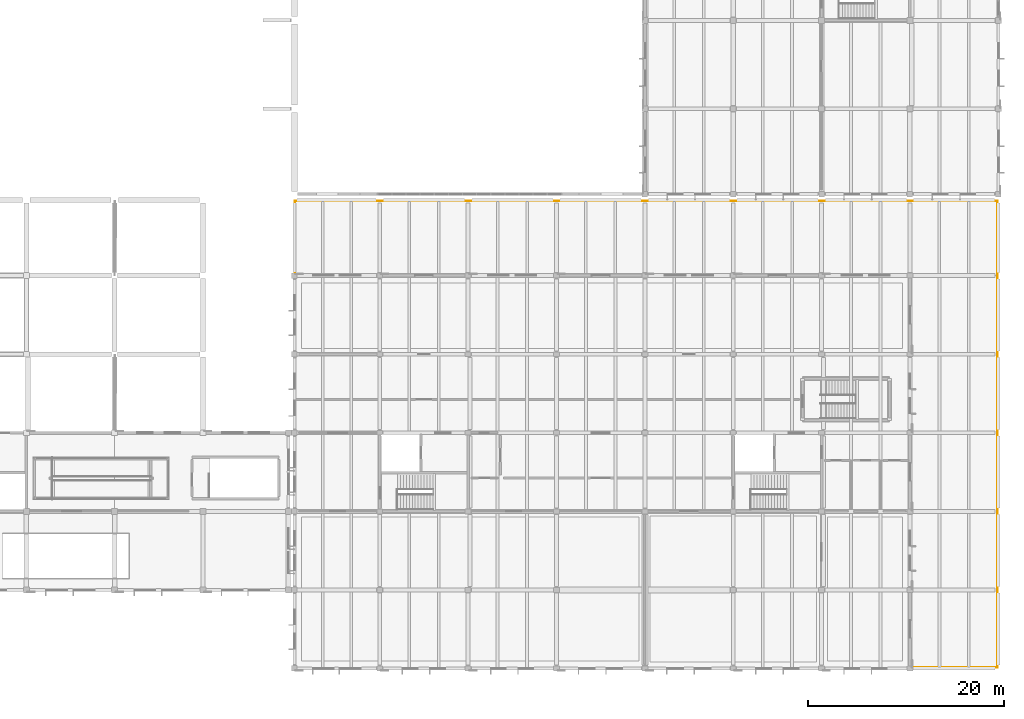
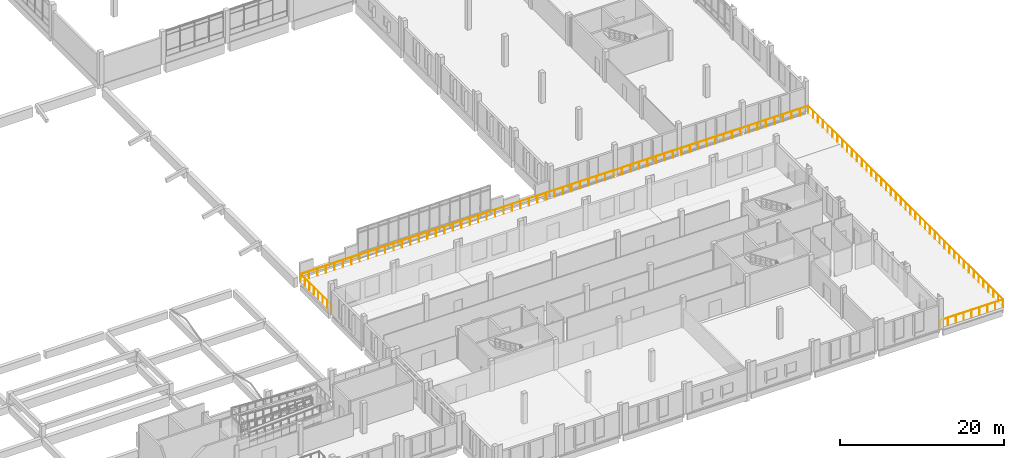
# One storey, part 58 of 63: 1 railing.
"""IFC4 building model written with IfcOpenShell, lengths in metres."""

from ifc_helpers import new_model, si_unit, direction, frame, origin, origin_2d, place, context, subcontext, project, spatial, circle, extrude, material, layer, layer_set, type_object, element, save


model = new_model("IFC4")

# Units and contexts
model_context = context("Model", 3, precision=1e-05, world=origin(), true_north=direction((0.0, 1.0)))
body_context = subcontext(model_context, "Body", "Model", "MODEL_VIEW")
ifc_project = project(units=[si_unit("LENGTHUNIT", "METRE"), si_unit("AREAUNIT", "SQUARE_METRE"), si_unit("VOLUMEUNIT", "CUBIC_METRE"), si_unit("PLANEANGLEUNIT", "RADIAN"), si_unit("MASSUNIT", "GRAM", prefix="KILO")], contexts=[model_context])

# Site, building, storey
site_placement = place(None, origin())
site = spatial("IfcSite", under=ifc_project, at=site_placement, CompositionType="ELEMENT")
building_placement = place(site_placement, origin())
building = spatial("IfcBuilding", under=site, at=building_placement, Name="Zacnel Wholesale Market", CompositionType="ELEMENT")
storey_placement = place(building_placement, frame((0.0, 0.0, 11.199951171875)))
storey = spatial("IfcBuildingStorey", under=building, at=storey_placement, Name="L03", CompositionType="ELEMENT", Elevation=11.199951171875)

# Railing
ifc_material = material(Name="Steel S355", Category="steel")
ifc_layer = layer(ifc_material, 0.080078125)
ifc_layer_set = layer_set([ifc_layer], Name="Steel S355")
railing_type = type_object("IfcRailingType", Name="RL-BAL-1150", PredefinedType="BALUSTRADE", material=ifc_layer_set)
railing_placement = place(storey_placement, frame((207.050048828125, 0.080078125, 0.0)))
element("IfcRailing", 1, at=railing_placement, inside=storey, type_object=railing_type, Name="Terrace safety balustrade GD-L03-V5-PERIM", PredefinedType="BALUSTRADE", context=body_context, shape_type="SweptSolid", body=[
    extrude(circle(Radius=0.02392578125, at=origin_2d()), frame((0.0, 0.0, 1.1259765625), z_axis=(1.0, 0.0, 0.0), x_axis=(0.0, 1.0, 0.0)), (0.0, 0.0, 1.0), 8.869873046875),
    extrude(circle(Radius=0.02392578125, at=origin_2d()), frame((8.869873046875, 0.0, 1.1259765625), z_axis=(0.0, 1.0, 0.0), x_axis=(-1.0, 0.0, 0.0)), (0.0, 0.0, 1.0), 47.5400390625),
    extrude(circle(Radius=0.02392578125, at=origin_2d()), frame((8.869873046875, 47.5400390625, 1.1259765625), z_axis=(-1.0, 0.0, 0.0), x_axis=(0.0, -1.0, 0.0)), (0.0, 0.0, 1.0), 71.5400390625),
    extrude(circle(Radius=0.02392578125, at=origin_2d()), frame((-62.670166015625, 47.5400390625, 1.1259765625), z_axis=(0.0, -1.0, 0.0), x_axis=(1.0, 0.0, 0.0)), (0.0, 0.0, 1.0), 7.570068359375),
    extrude(circle(Radius=0.02099609375, at=origin_2d()), origin(), (0.0, 0.0, 1.0), 1.101806640625),
    extrude(circle(Radius=0.02099609375, at=origin_2d()), frame((1.108642578125, 0.0, 0.0)), (0.0, 0.0, 1.0), 1.101806640625),
    extrude(circle(Radius=0.02099609375, at=origin_2d()), frame((2.217529296875, 0.0, 0.0)), (0.0, 0.0, 1.0), 1.101806640625),
    extrude(circle(Radius=0.02099609375, at=origin_2d()), frame((3.326171875, 0.0, 0.0)), (0.0, 0.0, 1.0), 1.101806640625),
    extrude(circle(Radius=0.02099609375, at=origin_2d()), frame((4.43505859375, 0.0, 0.0)), (0.0, 0.0, 1.0), 1.101806640625),
    extrude(circle(Radius=0.02099609375, at=origin_2d()), frame((5.543701171875, 0.0, 0.0)), (0.0, 0.0, 1.0), 1.101806640625),
    extrude(circle(Radius=0.02099609375, at=origin_2d()), frame((6.65234375, 0.0, 0.0)), (0.0, 0.0, 1.0), 1.101806640625),
    extrude(circle(Radius=0.02099609375, at=origin_2d()), frame((7.76123046875, 0.0, 0.0)), (0.0, 0.0, 1.0), 1.101806640625),
    extrude(circle(Radius=0.02099609375, at=origin_2d()), frame((8.869873046875, 0.0, 0.0)), (0.0, 0.0, 1.0), 1.101806640625),
    extrude(circle(Radius=0.02099609375, at=origin_2d()), frame((8.869873046875, 1.1884765625, 0.0)), (0.0, 0.0, 1.0), 1.101806640625),
    extrude(circle(Radius=0.02099609375, at=origin_2d()), frame((8.869873046875, 2.376953125, 0.0)), (0.0, 0.0, 1.0), 1.101806640625),
    extrude(circle(Radius=0.02099609375, at=origin_2d()), frame((8.869873046875, 3.5654296875, 0.0)), (0.0, 0.0, 1.0), 1.101806640625),
    extrude(circle(Radius=0.02099609375, at=origin_2d()), frame((8.869873046875, 4.75390625, 0.0)), (0.0, 0.0, 1.0), 1.101806640625),
    extrude(circle(Radius=0.02099609375, at=origin_2d()), frame((8.869873046875, 5.9423828125, 0.0)), (0.0, 0.0, 1.0), 1.101806640625),
    extrude(circle(Radius=0.02099609375, at=origin_2d()), frame((8.869873046875, 7.131103515625, 0.0)), (0.0, 0.0, 1.0), 1.101806640625),
    extrude(circle(Radius=0.02099609375, at=origin_2d()), frame((8.869873046875, 8.319580078125, 0.0)), (0.0, 0.0, 1.0), 1.101806640625),
    extrude(circle(Radius=0.02099609375, at=origin_2d()), frame((8.869873046875, 9.508056640625, 0.0)), (0.0, 0.0, 1.0), 1.101806640625),
    extrude(circle(Radius=0.02099609375, at=origin_2d()), frame((8.869873046875, 10.696533203125, 0.0)), (0.0, 0.0, 1.0), 1.101806640625),
    extrude(circle(Radius=0.02099609375, at=origin_2d()), frame((8.869873046875, 11.885009765625, 0.0)), (0.0, 0.0, 1.0), 1.101806640625),
    extrude(circle(Radius=0.02099609375, at=origin_2d()), frame((8.869873046875, 13.073486328125, 0.0)), (0.0, 0.0, 1.0), 1.101806640625),
    extrude(circle(Radius=0.02099609375, at=origin_2d()), frame((8.869873046875, 14.261962890625, 0.0)), (0.0, 0.0, 1.0), 1.101806640625),
    extrude(circle(Radius=0.02099609375, at=origin_2d()), frame((8.869873046875, 15.450439453125, 0.0)), (0.0, 0.0, 1.0), 1.101806640625),
    extrude(circle(Radius=0.02099609375, at=origin_2d()), frame((8.869873046875, 16.638916015625, 0.0)), (0.0, 0.0, 1.0), 1.101806640625),
    extrude(circle(Radius=0.02099609375, at=origin_2d()), frame((8.869873046875, 17.82763671875, 0.0)), (0.0, 0.0, 1.0), 1.101806640625),
    extrude(circle(Radius=0.02099609375, at=origin_2d()), frame((8.869873046875, 19.01611328125, 0.0)), (0.0, 0.0, 1.0), 1.101806640625),
    extrude(circle(Radius=0.02099609375, at=origin_2d()), frame((8.869873046875, 20.20458984375, 0.0)), (0.0, 0.0, 1.0), 1.101806640625),
    extrude(circle(Radius=0.02099609375, at=origin_2d()), frame((8.869873046875, 21.39306640625, 0.0)), (0.0, 0.0, 1.0), 1.101806640625),
    extrude(circle(Radius=0.02099609375, at=origin_2d()), frame((8.869873046875, 22.58154296875, 0.0)), (0.0, 0.0, 1.0), 1.101806640625),
    extrude(circle(Radius=0.02099609375, at=origin_2d()), frame((8.869873046875, 23.77001953125, 0.0)), (0.0, 0.0, 1.0), 1.101806640625),
    extrude(circle(Radius=0.02099609375, at=origin_2d()), frame((8.869873046875, 24.95849609375, 0.0)), (0.0, 0.0, 1.0), 1.101806640625),
    extrude(circle(Radius=0.02099609375, at=origin_2d()), frame((8.869873046875, 26.14697265625, 0.0)), (0.0, 0.0, 1.0), 1.101806640625),
    extrude(circle(Radius=0.02099609375, at=origin_2d()), frame((8.869873046875, 27.33544921875, 0.0)), (0.0, 0.0, 1.0), 1.101806640625),
    extrude(circle(Radius=0.02099609375, at=origin_2d()), frame((8.869873046875, 28.52392578125, 0.0)), (0.0, 0.0, 1.0), 1.101806640625),
    extrude(circle(Radius=0.02099609375, at=origin_2d()), frame((8.869873046875, 29.71240234375, 0.0)), (0.0, 0.0, 1.0), 1.101806640625),
    extrude(circle(Radius=0.02099609375, at=origin_2d()), frame((8.869873046875, 30.901123046875, 0.0)), (0.0, 0.0, 1.0), 1.101806640625),
    extrude(circle(Radius=0.02099609375, at=origin_2d()), frame((8.869873046875, 32.089599609375, 0.0)), (0.0, 0.0, 1.0), 1.101806640625),
    extrude(circle(Radius=0.02099609375, at=origin_2d()), frame((8.869873046875, 33.278076171875, 0.0)), (0.0, 0.0, 1.0), 1.101806640625),
    extrude(circle(Radius=0.02099609375, at=origin_2d()), frame((8.869873046875, 34.466552734375, 0.0)), (0.0, 0.0, 1.0), 1.101806640625),
    extrude(circle(Radius=0.02099609375, at=origin_2d()), frame((8.869873046875, 35.655029296875, 0.0)), (0.0, 0.0, 1.0), 1.101806640625),
    extrude(circle(Radius=0.02099609375, at=origin_2d()), frame((8.869873046875, 36.843505859375, 0.0)), (0.0, 0.0, 1.0), 1.101806640625),
    extrude(circle(Radius=0.02099609375, at=origin_2d()), frame((8.869873046875, 38.031982421875, 0.0)), (0.0, 0.0, 1.0), 1.101806640625),
    extrude(circle(Radius=0.02099609375, at=origin_2d()), frame((8.869873046875, 39.220458984375, 0.0)), (0.0, 0.0, 1.0), 1.101806640625),
    extrude(circle(Radius=0.02099609375, at=origin_2d()), frame((8.869873046875, 40.408935546875, 0.0)), (0.0, 0.0, 1.0), 1.101806640625),
    extrude(circle(Radius=0.02099609375, at=origin_2d()), frame((8.869873046875, 41.59765625, 0.0)), (0.0, 0.0, 1.0), 1.101806640625),
    extrude(circle(Radius=0.02099609375, at=origin_2d()), frame((8.869873046875, 42.7861328125, 0.0)), (0.0, 0.0, 1.0), 1.101806640625),
    extrude(circle(Radius=0.02099609375, at=origin_2d()), frame((8.869873046875, 43.974609375, 0.0)), (0.0, 0.0, 1.0), 1.101806640625),
    extrude(circle(Radius=0.02099609375, at=origin_2d()), frame((8.869873046875, 45.1630859375, 0.0)), (0.0, 0.0, 1.0), 1.101806640625),
    extrude(circle(Radius=0.02099609375, at=origin_2d()), frame((8.869873046875, 46.3515625, 0.0)), (0.0, 0.0, 1.0), 1.101806640625),
    extrude(circle(Radius=0.02099609375, at=origin_2d()), frame((8.869873046875, 47.5400390625, 0.0)), (0.0, 0.0, 1.0), 1.101806640625),
    extrude(circle(Radius=0.02099609375, at=origin_2d()), frame((7.677490234375, 47.5400390625, 0.0)), (0.0, 0.0, 1.0), 1.101806640625),
    extrude(circle(Radius=0.02099609375, at=origin_2d()), frame((6.485107421875, 47.5400390625, 0.0)), (0.0, 0.0, 1.0), 1.101806640625),
    extrude(circle(Radius=0.02099609375, at=origin_2d()), frame((5.29296875, 47.5400390625, 0.0)), (0.0, 0.0, 1.0), 1.101806640625),
    extrude(circle(Radius=0.02099609375, at=origin_2d()), frame((4.1005859375, 47.5400390625, 0.0)), (0.0, 0.0, 1.0), 1.101806640625),
    extrude(circle(Radius=0.02099609375, at=origin_2d()), frame((2.908203125, 47.5400390625, 0.0)), (0.0, 0.0, 1.0), 1.101806640625),
    extrude(circle(Radius=0.02099609375, at=origin_2d()), frame((1.7158203125, 47.5400390625, 0.0)), (0.0, 0.0, 1.0), 1.101806640625),
    extrude(circle(Radius=0.02099609375, at=origin_2d()), frame((0.5234375, 47.5400390625, 0.0)), (0.0, 0.0, 1.0), 1.101806640625),
    extrude(circle(Radius=0.02099609375, at=origin_2d()), frame((-0.668701171875, 47.5400390625, 0.0)), (0.0, 0.0, 1.0), 1.101806640625),
    extrude(circle(Radius=0.02099609375, at=origin_2d()), frame((-1.861083984375, 47.5400390625, 0.0)), (0.0, 0.0, 1.0), 1.101806640625),
    extrude(circle(Radius=0.02099609375, at=origin_2d()), frame((-3.053466796875, 47.5400390625, 0.0)), (0.0, 0.0, 1.0), 1.101806640625),
    extrude(circle(Radius=0.02099609375, at=origin_2d()), frame((-4.245849609375, 47.5400390625, 0.0)), (0.0, 0.0, 1.0), 1.101806640625),
    extrude(circle(Radius=0.02099609375, at=origin_2d()), frame((-5.438232421875, 47.5400390625, 0.0)), (0.0, 0.0, 1.0), 1.101806640625),
    extrude(circle(Radius=0.02099609375, at=origin_2d()), frame((-6.63037109375, 47.5400390625, 0.0)), (0.0, 0.0, 1.0), 1.101806640625),
    extrude(circle(Radius=0.02099609375, at=origin_2d()), frame((-7.82275390625, 47.5400390625, 0.0)), (0.0, 0.0, 1.0), 1.101806640625),
    extrude(circle(Radius=0.02099609375, at=origin_2d()), frame((-9.01513671875, 47.5400390625, 0.0)), (0.0, 0.0, 1.0), 1.101806640625),
    extrude(circle(Radius=0.02099609375, at=origin_2d()), frame((-10.20751953125, 47.5400390625, 0.0)), (0.0, 0.0, 1.0), 1.101806640625),
    extrude(circle(Radius=0.02099609375, at=origin_2d()), frame((-11.39990234375, 47.5400390625, 0.0)), (0.0, 0.0, 1.0), 1.101806640625),
    extrude(circle(Radius=0.02099609375, at=origin_2d()), frame((-12.592041015625, 47.5400390625, 0.0)), (0.0, 0.0, 1.0), 1.101806640625),
    extrude(circle(Radius=0.02099609375, at=origin_2d()), frame((-13.784423828125, 47.5400390625, 0.0)), (0.0, 0.0, 1.0), 1.101806640625),
    extrude(circle(Radius=0.02099609375, at=origin_2d()), frame((-14.976806640625, 47.5400390625, 0.0)), (0.0, 0.0, 1.0), 1.101806640625),
    extrude(circle(Radius=0.02099609375, at=origin_2d()), frame((-16.169189453125, 47.5400390625, 0.0)), (0.0, 0.0, 1.0), 1.101806640625),
    extrude(circle(Radius=0.02099609375, at=origin_2d()), frame((-17.361572265625, 47.5400390625, 0.0)), (0.0, 0.0, 1.0), 1.101806640625),
    extrude(circle(Radius=0.02099609375, at=origin_2d()), frame((-18.5537109375, 47.5400390625, 0.0)), (0.0, 0.0, 1.0), 1.101806640625),
    extrude(circle(Radius=0.02099609375, at=origin_2d()), frame((-19.74609375, 47.5400390625, 0.0)), (0.0, 0.0, 1.0), 1.101806640625),
    extrude(circle(Radius=0.02099609375, at=origin_2d()), frame((-20.9384765625, 47.5400390625, 0.0)), (0.0, 0.0, 1.0), 1.101806640625),
    extrude(circle(Radius=0.02099609375, at=origin_2d()), frame((-22.130859375, 47.5400390625, 0.0)), (0.0, 0.0, 1.0), 1.101806640625),
    extrude(circle(Radius=0.02099609375, at=origin_2d()), frame((-23.3232421875, 47.5400390625, 0.0)), (0.0, 0.0, 1.0), 1.101806640625),
    extrude(circle(Radius=0.02099609375, at=origin_2d()), frame((-24.515380859375, 47.5400390625, 0.0)), (0.0, 0.0, 1.0), 1.101806640625),
    extrude(circle(Radius=0.02099609375, at=origin_2d()), frame((-25.707763671875, 47.5400390625, 0.0)), (0.0, 0.0, 1.0), 1.101806640625),
    extrude(circle(Radius=0.02099609375, at=origin_2d()), frame((-26.900146484375, 47.5400390625, 0.0)), (0.0, 0.0, 1.0), 1.101806640625),
    extrude(circle(Radius=0.02099609375, at=origin_2d()), frame((-28.092529296875, 47.5400390625, 0.0)), (0.0, 0.0, 1.0), 1.101806640625),
    extrude(circle(Radius=0.02099609375, at=origin_2d()), frame((-29.284912109375, 47.5400390625, 0.0)), (0.0, 0.0, 1.0), 1.101806640625),
    extrude(circle(Radius=0.02099609375, at=origin_2d()), frame((-30.47705078125, 47.5400390625, 0.0)), (0.0, 0.0, 1.0), 1.101806640625),
    extrude(circle(Radius=0.02099609375, at=origin_2d()), frame((-31.66943359375, 47.5400390625, 0.0)), (0.0, 0.0, 1.0), 1.101806640625),
    extrude(circle(Radius=0.02099609375, at=origin_2d()), frame((-32.86181640625, 47.5400390625, 0.0)), (0.0, 0.0, 1.0), 1.101806640625),
    extrude(circle(Radius=0.02099609375, at=origin_2d()), frame((-34.05419921875, 47.5400390625, 0.0)), (0.0, 0.0, 1.0), 1.101806640625),
    extrude(circle(Radius=0.02099609375, at=origin_2d()), frame((-35.24658203125, 47.5400390625, 0.0)), (0.0, 0.0, 1.0), 1.101806640625),
    extrude(circle(Radius=0.02099609375, at=origin_2d()), frame((-36.438720703125, 47.5400390625, 0.0)), (0.0, 0.0, 1.0), 1.101806640625),
    extrude(circle(Radius=0.02099609375, at=origin_2d()), frame((-37.631103515625, 47.5400390625, 0.0)), (0.0, 0.0, 1.0), 1.101806640625),
    extrude(circle(Radius=0.02099609375, at=origin_2d()), frame((-38.823486328125, 47.5400390625, 0.0)), (0.0, 0.0, 1.0), 1.101806640625),
    extrude(circle(Radius=0.02099609375, at=origin_2d()), frame((-40.015869140625, 47.5400390625, 0.0)), (0.0, 0.0, 1.0), 1.101806640625),
    extrude(circle(Radius=0.02099609375, at=origin_2d()), frame((-41.208251953125, 47.5400390625, 0.0)), (0.0, 0.0, 1.0), 1.101806640625),
    extrude(circle(Radius=0.02099609375, at=origin_2d()), frame((-42.400390625, 47.5400390625, 0.0)), (0.0, 0.0, 1.0), 1.101806640625),
    extrude(circle(Radius=0.02099609375, at=origin_2d()), frame((-43.5927734375, 47.5400390625, 0.0)), (0.0, 0.0, 1.0), 1.101806640625),
    extrude(circle(Radius=0.02099609375, at=origin_2d()), frame((-44.78515625, 47.5400390625, 0.0)), (0.0, 0.0, 1.0), 1.101806640625),
    extrude(circle(Radius=0.02099609375, at=origin_2d()), frame((-45.9775390625, 47.5400390625, 0.0)), (0.0, 0.0, 1.0), 1.101806640625),
    extrude(circle(Radius=0.02099609375, at=origin_2d()), frame((-47.169921875, 47.5400390625, 0.0)), (0.0, 0.0, 1.0), 1.101806640625),
    extrude(circle(Radius=0.02099609375, at=origin_2d()), frame((-48.362060546875, 47.5400390625, 0.0)), (0.0, 0.0, 1.0), 1.101806640625),
    extrude(circle(Radius=0.02099609375, at=origin_2d()), frame((-49.554443359375, 47.5400390625, 0.0)), (0.0, 0.0, 1.0), 1.101806640625),
    extrude(circle(Radius=0.02099609375, at=origin_2d()), frame((-50.746826171875, 47.5400390625, 0.0)), (0.0, 0.0, 1.0), 1.101806640625),
    extrude(circle(Radius=0.02099609375, at=origin_2d()), frame((-51.939208984375, 47.5400390625, 0.0)), (0.0, 0.0, 1.0), 1.101806640625),
    extrude(circle(Radius=0.02099609375, at=origin_2d()), frame((-53.131591796875, 47.5400390625, 0.0)), (0.0, 0.0, 1.0), 1.101806640625),
    extrude(circle(Radius=0.02099609375, at=origin_2d()), frame((-54.32373046875, 47.5400390625, 0.0)), (0.0, 0.0, 1.0), 1.101806640625),
    extrude(circle(Radius=0.02099609375, at=origin_2d()), frame((-55.51611328125, 47.5400390625, 0.0)), (0.0, 0.0, 1.0), 1.101806640625),
    extrude(circle(Radius=0.02099609375, at=origin_2d()), frame((-56.70849609375, 47.5400390625, 0.0)), (0.0, 0.0, 1.0), 1.101806640625),
    extrude(circle(Radius=0.02099609375, at=origin_2d()), frame((-57.90087890625, 47.5400390625, 0.0)), (0.0, 0.0, 1.0), 1.101806640625),
    extrude(circle(Radius=0.02099609375, at=origin_2d()), frame((-59.09326171875, 47.5400390625, 0.0)), (0.0, 0.0, 1.0), 1.101806640625),
    extrude(circle(Radius=0.02099609375, at=origin_2d()), frame((-60.285400390625, 47.5400390625, 0.0)), (0.0, 0.0, 1.0), 1.101806640625),
    extrude(circle(Radius=0.02099609375, at=origin_2d()), frame((-61.477783203125, 47.5400390625, 0.0)), (0.0, 0.0, 1.0), 1.101806640625),
    extrude(circle(Radius=0.02099609375, at=origin_2d()), frame((-62.670166015625, 47.5400390625, 0.0)), (0.0, 0.0, 1.0), 1.101806640625),
    extrude(circle(Radius=0.02099609375, at=origin_2d()), frame((-62.670166015625, 46.45849609375, 0.0)), (0.0, 0.0, 1.0), 1.101806640625),
    extrude(circle(Radius=0.02099609375, at=origin_2d()), frame((-62.670166015625, 45.377197265625, 0.0)), (0.0, 0.0, 1.0), 1.101806640625),
    extrude(circle(Radius=0.02099609375, at=origin_2d()), frame((-62.670166015625, 44.295654296875, 0.0)), (0.0, 0.0, 1.0), 1.101806640625),
    extrude(circle(Radius=0.02099609375, at=origin_2d()), frame((-62.670166015625, 43.21435546875, 0.0)), (0.0, 0.0, 1.0), 1.101806640625),
    extrude(circle(Radius=0.02099609375, at=origin_2d()), frame((-62.670166015625, 42.1328125, 0.0)), (0.0, 0.0, 1.0), 1.101806640625),
    extrude(circle(Radius=0.02099609375, at=origin_2d()), frame((-62.670166015625, 41.051513671875, 0.0)), (0.0, 0.0, 1.0), 1.101806640625),
    extrude(circle(Radius=0.02099609375, at=origin_2d()), frame((-62.670166015625, 39.969970703125, 0.0)), (0.0, 0.0, 1.0), 1.101806640625),
])

save(model, "model.ifc")
